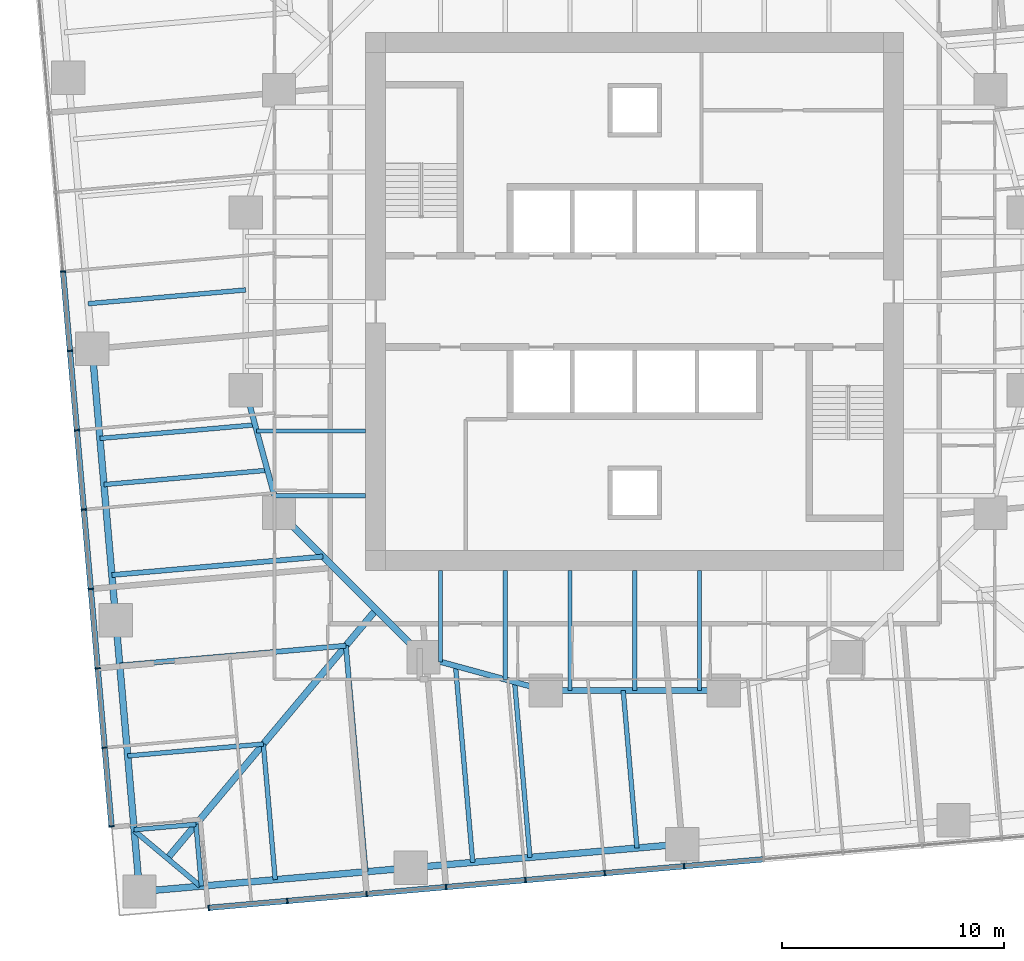
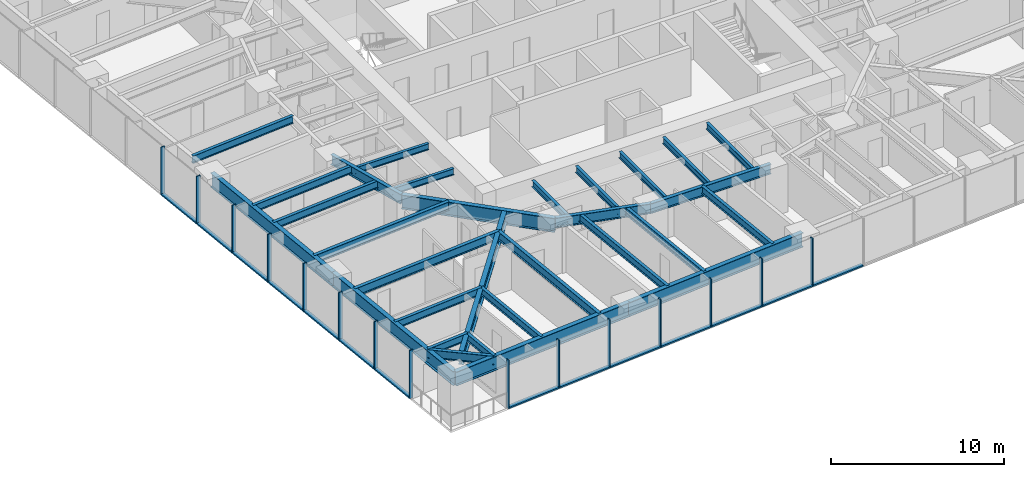
# One storey, part 2 of 14: 30 beams, 29 members, 2 elements without a shape of their own.
"""IFC4 building model written with IfcOpenShell, lengths in metres."""

from ifc_helpers import new_model, si_unit, direction, frame, origin, origin_2d, place, context, subcontext, project, spatial, rectangle, i_section, extrude, material, material_profile, profile_set, type_object, element, aggregate, save


model = new_model("IFC4")

# Units and contexts
model_context = context("Model", 3, precision=1e-05, world=origin(), true_north=direction((0.0, 1.0)))
body_context = subcontext(model_context, "Body", "Model", "MODEL_VIEW")
ifc_project = project(units=[si_unit("LENGTHUNIT", "METRE"), si_unit("AREAUNIT", "SQUARE_METRE"), si_unit("VOLUMEUNIT", "CUBIC_METRE"), si_unit("PLANEANGLEUNIT", "RADIAN"), si_unit("MASSUNIT", "GRAM", prefix="KILO")], contexts=[model_context])

# Site, building, storey
site_placement = place(None, origin())
site = spatial("IfcSite", under=ifc_project, at=site_placement, CompositionType="ELEMENT")
building_placement = place(site_placement, origin())
building = spatial("IfcBuilding", under=site, at=building_placement, Name="Torsade Residences", CompositionType="ELEMENT")
storey_placement = place(building_placement, frame((0.0, 0.0, 64.199951171875)))
storey = spatial("IfcBuildingStorey", under=building, at=storey_placement, Name="L17", CompositionType="ELEMENT", Elevation=64.199951171875)

# Beams
ifc_material_1 = material(Name="Steel grade 300", Category="steel")
ifc_material_profile_1 = material_profile(ifc_material_1, i_section(OverallWidth=0.300048828125, OverallDepth=0.89990234375, WebThickness=0.011962890625, FlangeThickness=0.02490234375, at=origin_2d()), Name="900WB175")
ifc_profile_set_1 = profile_set([ifc_material_profile_1], Name="Steel grade 300")
beam_type_1 = type_object("IfcBeamType", Name="CORNER GIRDER 900WB175", PredefinedType="BEAM", material=ifc_profile_set_1)
beam_1_placement = place(storey_placement, frame((18.978515625, 4.947509765625, 2.800048828125), z_axis=(0.642785419012, 0.766046281307, 0.0), x_axis=(-0.766046281307, 0.642785419012, 0.0)))
element("IfcBeam", 1, at=beam_1_placement, inside=storey, type_object=beam_type_1, Name="Corner girder 01 L18", PredefinedType="BEAM", context=body_context, shape_type="SweptSolid", body=[
    extrude(i_section(OverallWidth=0.300048828125, OverallDepth=0.89990234375, WebThickness=0.011962890625, FlangeThickness=0.02490234375, at=origin_2d()), origin(), (0.0, 0.0, 1.0), 14.603515625),
])
ifc_material_2 = material(Name="Steel grade 300", Category="steel")
ifc_material_profile_2 = material_profile(ifc_material_2, i_section(OverallWidth=0.22802734375, OverallDepth=0.60205078125, WebThickness=0.010498046875, FlangeThickness=0.014892578125, FilletRadius=0.013916015625, at=origin_2d()), Name="610UB101")
ifc_profile_set_2 = profile_set([ifc_material_profile_2], Name="Steel grade 300")
beam_type_2 = type_object("IfcBeamType", Name="CORNER TRIMMER 610UB101", PredefinedType="BEAM", material=ifc_profile_set_2)
beam_2_placement = place(storey_placement, frame((20.468017578125, 3.697509765625, 2.948974609375), z_axis=(-0.766030001697, 0.642804819911, 0.0), x_axis=(-0.642804819911, -0.766030001697, 0.0)))
element("IfcBeam", 2, at=beam_2_placement, inside=storey, type_object=beam_type_2, Name="Corner trimmer 01 L18", PredefinedType="BEAM", context=body_context, shape_type="SweptSolid", body=[
    extrude(i_section(OverallWidth=0.22802734375, OverallDepth=0.60205078125, WebThickness=0.010498046875, FlangeThickness=0.014892578125, FilletRadius=0.013916015625, at=origin_2d()), origin(), (0.0, 0.0, 1.0), 3.88916015625),
])

# Curtain wall, members
ifc_material_3 = material(Name="Aluminium and glass", Category="aluminium")
curtain_wall_type = type_object("IfcCurtainWallType", Name="FRITTED GLASS CURTAIN WALL LOW ZONE", PredefinedType="NOTDEFINED", material=ifc_material_3)
curtain_wall_1_placement = place(storey_placement, origin())
curtain_wall_1 = element("IfcCurtainWall", 3, at=curtain_wall_1_placement, inside=storey, type_object=curtain_wall_type, Name="Curtain wall L17 face 1", PredefinedType="NOTDEFINED")
ifc_material_4 = material(Name="Aluminium mullion", Category="aluminium")
ifc_material_profile_3 = material_profile(ifc_material_4, rectangle(XDim=0.25, YDim=0.06494140625, at=origin_2d()), Name="CURTAIN WALL MULLION 250x65")
ifc_profile_set_3 = profile_set([ifc_material_profile_3], Name="Aluminium mullion")
member_type_1 = type_object("IfcMemberType", Name="CURTAIN WALL MULLION 250x65", PredefinedType="MULLION", material=ifc_profile_set_3)
member_1_placement = place(storey_placement, frame((20.836669921875, 2.72607421875, 0.0), z_axis=(0.0, 0.0, 1.0), x_axis=(-0.087155744208, 0.996194697964, 0.0)))
member_1 = element("IfcMember", 4, at=member_1_placement, type_object=member_type_1, Name="Mullion 1", PredefinedType="MULLION", context=body_context, shape_type="SweptSolid", body=[
    extrude(rectangle(XDim=0.25, YDim=0.06494140625, at=origin_2d()), origin(), (0.0, 0.0, 1.0), 3.400146484375),
])
member_2_placement = place(storey_placement, frame((24.3740234375, 3.035400390625, 0.0), z_axis=(0.0, 0.0, 1.0), x_axis=(-0.087155744208, 0.996194697964, 0.0)))
member_2 = element("IfcMember", 5, at=member_2_placement, type_object=member_type_1, Name="Mullion 2", PredefinedType="MULLION", context=body_context, shape_type="SweptSolid", body=[
    extrude(rectangle(XDim=0.25, YDim=0.06494140625, at=origin_2d()), origin(), (0.0, 0.0, 1.0), 3.400146484375),
])
member_3_placement = place(storey_placement, frame((27.943603515625, 3.347900390625, 0.0), z_axis=(0.0, 0.0, 1.0), x_axis=(-0.087155744208, 0.996194697964, 0.0)))
member_3 = element("IfcMember", 6, at=member_3_placement, type_object=member_type_1, Name="Mullion 3", PredefinedType="MULLION", context=body_context, shape_type="SweptSolid", body=[
    extrude(rectangle(XDim=0.25, YDim=0.06494140625, at=origin_2d()), origin(), (0.0, 0.0, 1.0), 3.400146484375),
])
member_4_placement = place(storey_placement, frame((31.513427734375, 3.66015625, 0.0), z_axis=(0.0, 0.0, 1.0), x_axis=(-0.087155744208, 0.996194697964, 0.0)))
member_4 = element("IfcMember", 7, at=member_4_placement, type_object=member_type_1, Name="Mullion 4", PredefinedType="MULLION", context=body_context, shape_type="SweptSolid", body=[
    extrude(rectangle(XDim=0.25, YDim=0.06494140625, at=origin_2d()), origin(), (0.0, 0.0, 1.0), 3.400146484375),
])
member_5_placement = place(storey_placement, frame((35.0830078125, 3.972412109375, 0.0), z_axis=(0.0, 0.0, 1.0), x_axis=(-0.087155744208, 0.996194697964, 0.0)))
member_5 = element("IfcMember", 8, at=member_5_placement, type_object=member_type_1, Name="Mullion 5", PredefinedType="MULLION", context=body_context, shape_type="SweptSolid", body=[
    extrude(rectangle(XDim=0.25, YDim=0.06494140625, at=origin_2d()), origin(), (0.0, 0.0, 1.0), 3.400146484375),
])
member_6_placement = place(storey_placement, frame((38.65283203125, 4.28466796875, 0.0), z_axis=(0.0, 0.0, 1.0), x_axis=(-0.087155744208, 0.996194697964, 0.0)))
member_6 = element("IfcMember", 9, at=member_6_placement, type_object=member_type_1, Name="Mullion 6", PredefinedType="MULLION", context=body_context, shape_type="SweptSolid", body=[
    extrude(rectangle(XDim=0.25, YDim=0.06494140625, at=origin_2d()), origin(), (0.0, 0.0, 1.0), 3.400146484375),
])
member_7_placement = place(storey_placement, frame((42.222412109375, 4.596923828125, 0.0), z_axis=(0.0, 0.0, 1.0), x_axis=(-0.087155744208, 0.996194697964, 0.0)))
member_7 = element("IfcMember", 10, at=member_7_placement, type_object=member_type_1, Name="Mullion 7", PredefinedType="MULLION", context=body_context, shape_type="SweptSolid", body=[
    extrude(rectangle(XDim=0.25, YDim=0.06494140625, at=origin_2d()), origin(), (0.0, 0.0, 1.0), 3.400146484375),
])

curtain_wall_2_placement = place(storey_placement, origin())
curtain_wall_2 = element("IfcCurtainWall", 11, at=curtain_wall_2_placement, inside=storey, type_object=curtain_wall_type, Name="Curtain wall L17 face 10", PredefinedType="NOTDEFINED")
member_8_placement = place(storey_placement, frame((14.28466796875, 31.34716796875, 0.0), z_axis=(0.0, 0.0, 1.0), x_axis=(0.996194697964, 0.087155744208, 0.0)))
member_8 = element("IfcMember", 12, at=member_8_placement, type_object=member_type_1, Name="Mullion 6", PredefinedType="MULLION", context=body_context, shape_type="SweptSolid", body=[
    extrude(rectangle(XDim=0.25, YDim=0.06494140625, at=origin_2d()), origin(), (0.0, 0.0, 1.0), 3.400146484375),
])
member_9_placement = place(storey_placement, frame((14.596923828125, 27.777587890625, 0.0), z_axis=(0.0, 0.0, 1.0), x_axis=(0.996194697964, 0.087155744208, 0.0)))
member_9 = element("IfcMember", 13, at=member_9_placement, type_object=member_type_1, Name="Mullion 7", PredefinedType="MULLION", context=body_context, shape_type="SweptSolid", body=[
    extrude(rectangle(XDim=0.25, YDim=0.06494140625, at=origin_2d()), origin(), (0.0, 0.0, 1.0), 3.400146484375),
])
member_10_placement = place(storey_placement, frame((14.909423828125, 24.207763671875, 0.0), z_axis=(0.0, 0.0, 1.0), x_axis=(0.996194697964, 0.087155744208, 0.0)))
member_10 = element("IfcMember", 14, at=member_10_placement, type_object=member_type_1, Name="Mullion 8", PredefinedType="MULLION", context=body_context, shape_type="SweptSolid", body=[
    extrude(rectangle(XDim=0.25, YDim=0.06494140625, at=origin_2d()), origin(), (0.0, 0.0, 1.0), 3.400146484375),
])
member_11_placement = place(storey_placement, frame((15.2216796875, 20.63818359375, 0.0), z_axis=(0.0, 0.0, 1.0), x_axis=(0.996194697964, 0.087155744208, 0.0)))
member_11 = element("IfcMember", 15, at=member_11_placement, type_object=member_type_1, Name="Mullion 9", PredefinedType="MULLION", context=body_context, shape_type="SweptSolid", body=[
    extrude(rectangle(XDim=0.25, YDim=0.06494140625, at=origin_2d()), origin(), (0.0, 0.0, 1.0), 3.400146484375),
])
member_12_placement = place(storey_placement, frame((15.533935546875, 17.068359375, 0.0), z_axis=(0.0, 0.0, 1.0), x_axis=(0.996194697964, 0.087155744208, 0.0)))
member_12 = element("IfcMember", 16, at=member_12_placement, type_object=member_type_1, Name="Mullion 10", PredefinedType="MULLION", context=body_context, shape_type="SweptSolid", body=[
    extrude(rectangle(XDim=0.25, YDim=0.06494140625, at=origin_2d()), origin(), (0.0, 0.0, 1.0), 3.400146484375),
])
member_13_placement = place(storey_placement, frame((15.84619140625, 13.498779296875, 0.0), z_axis=(0.0, 0.0, 1.0), x_axis=(0.996194697964, 0.087155744208, 0.0)))
member_13 = element("IfcMember", 17, at=member_13_placement, type_object=member_type_1, Name="Mullion 11", PredefinedType="MULLION", context=body_context, shape_type="SweptSolid", body=[
    extrude(rectangle(XDim=0.25, YDim=0.06494140625, at=origin_2d()), origin(), (0.0, 0.0, 1.0), 3.400146484375),
])
member_14_placement = place(storey_placement, frame((16.15869140625, 9.928955078125, 0.0), z_axis=(0.0, 0.0, 1.0), x_axis=(0.996194697964, 0.087155744208, 0.0)))
member_14 = element("IfcMember", 18, at=member_14_placement, type_object=member_type_1, Name="Mullion 12", PredefinedType="MULLION", context=body_context, shape_type="SweptSolid", body=[
    extrude(rectangle(XDim=0.25, YDim=0.06494140625, at=origin_2d()), origin(), (0.0, 0.0, 1.0), 3.400146484375),
])
member_15_placement = place(storey_placement, frame((16.468017578125, 6.3916015625, 0.0), z_axis=(0.0, 0.0, 1.0), x_axis=(0.996194697964, 0.087155744208, 0.0)))
member_15 = element("IfcMember", 19, at=member_15_placement, type_object=member_type_1, Name="Mullion 13", PredefinedType="MULLION", context=body_context, shape_type="SweptSolid", body=[
    extrude(rectangle(XDim=0.25, YDim=0.06494140625, at=origin_2d()), origin(), (0.0, 0.0, 1.0), 3.400146484375),
])

# Member
ifc_material_5 = material(Name="Aluminium transom", Category="aluminium")
ifc_material_profile_4 = material_profile(ifc_material_5, rectangle(XDim=0.25, YDim=0.10009765625, at=origin_2d()), Name="CURTAIN WALL TRANSOM 250x100")
ifc_profile_set_4 = profile_set([ifc_material_profile_4], Name="Aluminium transom")
member_type_2 = type_object("IfcMemberType", Name="CURTAIN WALL TRANSOM 250x100", PredefinedType="USERDEFINED", material=ifc_profile_set_4)
member_16_placement = place(storey_placement, frame((20.869140625, 2.728759765625, 0.050048828125), z_axis=(0.996190751941, 0.0872008357, 0.0), x_axis=(-0.0872008357, 0.996190751941, 0.0)))
member_16 = element("IfcMember", 20, at=member_16_placement, type_object=member_type_2, Name="Transom 1.1", ObjectType="TRANSOM", PredefinedType="USERDEFINED", context=body_context, shape_type="SweptSolid", body=[
    extrude(rectangle(XDim=0.25, YDim=0.10009765625, at=origin_2d()), origin(), (0.0, 0.0, 1.0), 3.485595703125),
])

member_17_placement = place(storey_placement, frame((24.40625, 3.038330078125, 0.050048828125), z_axis=(0.996195148363, 0.08715059597, 0.0), x_axis=(-0.08715059597, 0.996195148363, 0.0)))
member_17 = element("IfcMember", 21, at=member_17_placement, type_object=member_type_2, Name="Transom 2.1", ObjectType="TRANSOM", PredefinedType="USERDEFINED", context=body_context, shape_type="SweptSolid", body=[
    extrude(rectangle(XDim=0.25, YDim=0.10009765625, at=origin_2d()), origin(), (0.0, 0.0, 1.0), 3.5185546875),
])

member_18_placement = place(storey_placement, frame((27.97607421875, 3.3505859375, 0.050048828125), z_axis=(0.996194621295, 0.087156620531, 0.0), x_axis=(-0.087156620531, 0.996194621295, 0.0)))
member_18 = element("IfcMember", 22, at=member_18_placement, type_object=member_type_2, Name="Transom 3.1", ObjectType="TRANSOM", PredefinedType="USERDEFINED", context=body_context, shape_type="SweptSolid", body=[
    extrude(rectangle(XDim=0.25, YDim=0.10009765625, at=origin_2d()), origin(), (0.0, 0.0, 1.0), 3.518310546875),
])

member_19_placement = place(storey_placement, frame((31.545654296875, 3.662841796875, 0.050048828125), z_axis=(0.996195148363, 0.08715059597, 0.0), x_axis=(-0.08715059597, 0.996195148363, 0.0)))
member_19 = element("IfcMember", 23, at=member_19_placement, type_object=member_type_2, Name="Transom 4.1", ObjectType="TRANSOM", PredefinedType="USERDEFINED", context=body_context, shape_type="SweptSolid", body=[
    extrude(rectangle(XDim=0.25, YDim=0.10009765625, at=origin_2d()), origin(), (0.0, 0.0, 1.0), 3.5185546875),
])

member_20_placement = place(storey_placement, frame((35.115478515625, 3.975341796875, 0.050048828125), z_axis=(0.996194621295, 0.087156620531, 0.0), x_axis=(-0.087156620531, 0.996194621295, 0.0)))
member_20 = element("IfcMember", 24, at=member_20_placement, type_object=member_type_2, Name="Transom 5.1", ObjectType="TRANSOM", PredefinedType="USERDEFINED", context=body_context, shape_type="SweptSolid", body=[
    extrude(rectangle(XDim=0.25, YDim=0.10009765625, at=origin_2d()), origin(), (0.0, 0.0, 1.0), 3.518310546875),
])

member_21_placement = place(storey_placement, frame((38.68505859375, 4.28759765625, 0.050048828125), z_axis=(0.996195148363, 0.08715059597, 0.0), x_axis=(-0.08715059597, 0.996195148363, 0.0)))
member_21 = element("IfcMember", 25, at=member_21_placement, type_object=member_type_2, Name="Transom 6.1", ObjectType="TRANSOM", PredefinedType="USERDEFINED", context=body_context, shape_type="SweptSolid", body=[
    extrude(rectangle(XDim=0.25, YDim=0.10009765625, at=origin_2d()), origin(), (0.0, 0.0, 1.0), 3.5185546875),
])

member_22_placement = place(storey_placement, frame((42.2548828125, 4.599853515625, 0.050048828125), z_axis=(0.996194621295, 0.087156620531, 0.0), x_axis=(-0.087156620531, 0.996194621295, 0.0)))
member_22 = element("IfcMember", 26, at=member_22_placement, type_object=member_type_2, Name="Transom 7.1", ObjectType="TRANSOM", PredefinedType="USERDEFINED", context=body_context, shape_type="SweptSolid", body=[
    extrude(rectangle(XDim=0.25, YDim=0.10009765625, at=origin_2d()), origin(), (0.0, 0.0, 1.0), 3.518310546875),
])

aggregate(curtain_wall_1, [member_1, member_2, member_3, member_4, member_5, member_6, member_7, member_16, member_17, member_18, member_19, member_20, member_21, member_22])

member_23_placement = place(storey_placement, frame((14.28759765625, 31.31494140625, 0.050048828125), z_axis=(0.08715059597, -0.996195148363, 0.0), x_axis=(0.996195148363, 0.08715059597, 0.0)))
member_23 = element("IfcMember", 27, at=member_23_placement, type_object=member_type_2, Name="Transom 6.1", ObjectType="TRANSOM", PredefinedType="USERDEFINED", context=body_context, shape_type="SweptSolid", body=[
    extrude(rectangle(XDim=0.25, YDim=0.10009765625, at=origin_2d()), origin(), (0.0, 0.0, 1.0), 3.5185546875),
])

member_24_placement = place(storey_placement, frame((14.599853515625, 27.7451171875, 0.050048828125), z_axis=(0.087156620531, -0.996194621295, 0.0), x_axis=(0.996194621295, 0.087156620531, 0.0)))
member_24 = element("IfcMember", 28, at=member_24_placement, type_object=member_type_2, Name="Transom 7.1", ObjectType="TRANSOM", PredefinedType="USERDEFINED", context=body_context, shape_type="SweptSolid", body=[
    extrude(rectangle(XDim=0.25, YDim=0.10009765625, at=origin_2d()), origin(), (0.0, 0.0, 1.0), 3.518310546875),
])

member_25_placement = place(storey_placement, frame((14.912109375, 24.175537109375, 0.050048828125), z_axis=(0.08715059597, -0.996195148363, 0.0), x_axis=(0.996195148363, 0.08715059597, 0.0)))
member_25 = element("IfcMember", 29, at=member_25_placement, type_object=member_type_2, Name="Transom 8.1", ObjectType="TRANSOM", PredefinedType="USERDEFINED", context=body_context, shape_type="SweptSolid", body=[
    extrude(rectangle(XDim=0.25, YDim=0.10009765625, at=origin_2d()), origin(), (0.0, 0.0, 1.0), 3.5185546875),
])

member_26_placement = place(storey_placement, frame((15.224365234375, 20.605712890625, 0.050048828125), z_axis=(0.087156620531, -0.996194621295, 0.0), x_axis=(0.996194621295, 0.087156620531, 0.0)))
member_26 = element("IfcMember", 30, at=member_26_placement, type_object=member_type_2, Name="Transom 9.1", ObjectType="TRANSOM", PredefinedType="USERDEFINED", context=body_context, shape_type="SweptSolid", body=[
    extrude(rectangle(XDim=0.25, YDim=0.10009765625, at=origin_2d()), origin(), (0.0, 0.0, 1.0), 3.518310546875),
])

member_27_placement = place(storey_placement, frame((15.536865234375, 17.0361328125, 0.050048828125), z_axis=(0.08715059597, -0.996195148363, 0.0), x_axis=(0.996195148363, 0.08715059597, 0.0)))
member_27 = element("IfcMember", 31, at=member_27_placement, type_object=member_type_2, Name="Transom 10.1", ObjectType="TRANSOM", PredefinedType="USERDEFINED", context=body_context, shape_type="SweptSolid", body=[
    extrude(rectangle(XDim=0.25, YDim=0.10009765625, at=origin_2d()), origin(), (0.0, 0.0, 1.0), 3.5185546875),
])

member_28_placement = place(storey_placement, frame((15.84912109375, 13.46630859375, 0.050048828125), z_axis=(0.087156620531, -0.996194621295, 0.0), x_axis=(0.996194621295, 0.087156620531, 0.0)))
member_28 = element("IfcMember", 32, at=member_28_placement, type_object=member_type_2, Name="Transom 11.1", ObjectType="TRANSOM", PredefinedType="USERDEFINED", context=body_context, shape_type="SweptSolid", body=[
    extrude(rectangle(XDim=0.25, YDim=0.10009765625, at=origin_2d()), origin(), (0.0, 0.0, 1.0), 3.518310546875),
])

member_29_placement = place(storey_placement, frame((16.161376953125, 9.896728515625, 0.050048828125), z_axis=(0.08719475177, -0.996191284475, 0.0), x_axis=(0.996191284475, 0.08719475177, 0.0)))
member_29 = element("IfcMember", 33, at=member_29_placement, type_object=member_type_2, Name="Transom 12.1", ObjectType="TRANSOM", PredefinedType="USERDEFINED", context=body_context, shape_type="SweptSolid", body=[
    extrude(rectangle(XDim=0.25, YDim=0.10009765625, at=origin_2d()), origin(), (0.0, 0.0, 1.0), 3.48583984375),
])

aggregate(curtain_wall_2, [member_8, member_9, member_10, member_11, member_12, member_13, member_14, member_15, member_23, member_24, member_25, member_26, member_27, member_28, member_29])

# Beams
ifc_material_6 = material(Name="Steel grade 300", Category="steel")
ifc_material_profile_5 = material_profile(ifc_material_6, i_section(OverallWidth=0.300048828125, OverallDepth=1.0, WebThickness=0.01611328125, FlangeThickness=0.028076171875, at=origin_2d()), Name="1000WB215")
ifc_profile_set_5 = profile_set([ifc_material_profile_5], Name="Steel grade 300")
beam_type_3 = type_object("IfcBeamType", Name="EDGE BEAM 1000WB215", PredefinedType="SPANDREL", material=ifc_profile_set_5)
for number, where, z_axis, x_axis, name in (
    (34, (17.728515625, 3.4580078125, 2.75), (0.996194907201, 0.08715335259, 0.0), (-0.08715335259, 0.996194907201, 0.0), "Edge beam 01 L18"),
    (35, (29.931884765625, 4.525634765625, 2.75), (0.996194907201, 0.08715335259, 0.0), (-0.08715335259, 0.996194907201, 0.0), "Edge beam 02 L18"),
    (36, (15.59326171875, 27.86474609375, 2.75), (0.08715335259, -0.996194907201, 0.0), (0.996194907201, 0.08715335259, 0.0), "Edge beam 15 L18"),
    (37, (16.660888671875, 15.661376953125, 2.75), (0.08715335259, -0.996194907201, 0.0), (0.996194907201, 0.08715335259, 0.0), "Edge beam 16 L18"),
):
    element("IfcBeam", number, at=place(storey_placement, frame(where, z_axis=z_axis, x_axis=x_axis)), inside=storey, type_object=beam_type_3, Name=name, PredefinedType="SPANDREL", context=body_context, shape_type="SweptSolid", body=[
        extrude(i_section(OverallWidth=0.300048828125, OverallDepth=1.0, WebThickness=0.01611328125, FlangeThickness=0.028076171875, at=origin_2d()), origin(), (0.0, 0.0, 1.0), 12.25),
    ])
ifc_material_7 = material(Name="Steel grade 300", Category="steel")
ifc_material_profile_6 = material_profile(ifc_material_7, i_section(OverallWidth=0.18994140625, OverallDepth=0.4541015625, WebThickness=0.008544921875, FlangeThickness=0.0126953125, FilletRadius=0.011474609375, at=origin_2d()), Name="460UB67.1")
ifc_profile_set_6 = profile_set([ifc_material_profile_6], Name="Steel grade 300")
beam_type_4 = type_object("IfcBeamType", Name="INNER FLOOR BEAM 460UB67.1", PredefinedType="JOIST", material=ifc_profile_set_6)
for number, where, z_axis, x_axis, name in (
    (38, (42.91259765625, 17.89990234375, 3.02294921875), (0.0, -1.0, 0.0), (1.0, 0.0, 0.0), "Inner floor beam IS03 L18"),
    (39, (40.0, 17.89990234375, 3.02294921875), (0.0, -1.0, 0.0), (1.0, 0.0, 0.0), "Inner floor beam IS04 L18"),
    (40, (37.08740234375, 17.89990234375, 3.02294921875), (0.0, -1.0, 0.0), (1.0, 0.0, 0.0), "Inner floor beam IS05 L18"),
):
    element("IfcBeam", number, at=place(storey_placement, frame(where, z_axis=z_axis, x_axis=x_axis)), inside=storey, type_object=beam_type_4, Name=name, PredefinedType="JOIST", context=body_context, shape_type="SweptSolid", body=[
        extrude(i_section(OverallWidth=0.18994140625, OverallDepth=0.4541015625, WebThickness=0.008544921875, FlangeThickness=0.0126953125, FilletRadius=0.011474609375, at=origin_2d()), origin(), (0.0, 0.0, 1.0), 5.39990234375),
    ])
beam_3_placement = place(storey_placement, frame((34.175048828125, 17.89990234375, 3.02294921875), z_axis=(0.0, -1.0, 0.0), x_axis=(1.0, 0.0, 0.0)))
element("IfcBeam", 41, at=beam_3_placement, inside=storey, type_object=beam_type_4, Name="Inner floor beam IS06 L18", PredefinedType="JOIST", context=body_context, shape_type="SweptSolid", body=[
    extrude(i_section(OverallWidth=0.18994140625, OverallDepth=0.4541015625, WebThickness=0.008544921875, FlangeThickness=0.0126953125, FilletRadius=0.011474609375, at=origin_2d()), origin(), (0.0, 0.0, 1.0), 4.902099609375),
])
beam_4_placement = place(storey_placement, frame((31.262451171875, 17.89990234375, 3.02294921875), z_axis=(0.0, -1.0, 0.0), x_axis=(1.0, 0.0, 0.0)))
element("IfcBeam", 42, at=beam_4_placement, inside=storey, type_object=beam_type_4, Name="Inner floor beam IS07 L18", PredefinedType="JOIST", context=body_context, shape_type="SweptSolid", body=[
    extrude(i_section(OverallWidth=0.18994140625, OverallDepth=0.4541015625, WebThickness=0.008544921875, FlangeThickness=0.0126953125, FilletRadius=0.011474609375, at=origin_2d()), origin(), (0.0, 0.0, 1.0), 4.10791015625),
])
beam_5_placement = place(storey_placement, frame((27.89990234375, 24.175048828125, 3.02294921875), z_axis=(-1.0, 0.0, 0.0), x_axis=(0.0, -1.0, 0.0)))
element("IfcBeam", 43, at=beam_5_placement, inside=storey, type_object=beam_type_4, Name="Inner floor beam IW06 L18", PredefinedType="JOIST", context=body_context, shape_type="SweptSolid", body=[
    extrude(i_section(OverallWidth=0.18994140625, OverallDepth=0.4541015625, WebThickness=0.008544921875, FlangeThickness=0.0126953125, FilletRadius=0.011474609375, at=origin_2d()), origin(), (0.0, 0.0, 1.0), 4.902099609375),
])
beam_6_placement = place(storey_placement, frame((27.89990234375, 21.262451171875, 3.02294921875), z_axis=(-1.0, 0.0, 0.0), x_axis=(0.0, -1.0, 0.0)))
element("IfcBeam", 44, at=beam_6_placement, inside=storey, type_object=beam_type_4, Name="Inner floor beam IW07 L18", PredefinedType="JOIST", context=body_context, shape_type="SweptSolid", body=[
    extrude(i_section(OverallWidth=0.18994140625, OverallDepth=0.4541015625, WebThickness=0.008544921875, FlangeThickness=0.0126953125, FilletRadius=0.011474609375, at=origin_2d()), origin(), (0.0, 0.0, 1.0), 4.10791015625),
])
ifc_material_8 = material(Name="Steel grade 300", Category="steel")
ifc_material_profile_7 = material_profile(ifc_material_8, i_section(OverallWidth=0.300048828125, OverallDepth=1.0, WebThickness=0.01611328125, FlangeThickness=0.028076171875, at=origin_2d()), Name="1000WB215")
ifc_profile_set_7 = profile_set([ifc_material_profile_7], Name="Steel grade 300")
beam_type_5 = type_object("IfcBeamType", Name="RING CORNER GIRDER 1000WB215", PredefinedType="BEAM", material=ifc_profile_set_7)
beam_7_placement = place(storey_placement, frame((24.0, 20.5, 2.75), z_axis=(0.707106781187, -0.707106781187, 0.0), x_axis=(0.707106781187, 0.707106781187, 0.0)))
element("IfcBeam", 45, at=beam_7_placement, inside=storey, type_object=beam_type_5, Name="Ring girder IR11 L18", PredefinedType="BEAM", context=body_context, shape_type="SweptSolid", body=[
    extrude(i_section(OverallWidth=0.300048828125, OverallDepth=1.0, WebThickness=0.01611328125, FlangeThickness=0.028076171875, at=origin_2d()), origin(), (0.0, 0.0, 1.0), 9.1923828125),
])
ifc_material_9 = material(Name="Steel grade 300", Category="steel")
ifc_material_profile_8 = material_profile(ifc_material_9, i_section(OverallWidth=0.25, OverallDepth=0.699951171875, WebThickness=0.010009765625, FlangeThickness=0.02001953125, at=origin_2d()), Name="700WB130")
ifc_profile_set_8 = profile_set([ifc_material_profile_8], Name="Steel grade 300")
beam_type_6 = type_object("IfcBeamType", Name="RING GIRDER 700WB130", PredefinedType="BEAM", material=ifc_profile_set_8)
for number, where, z_axis, x_axis, name in (
    (46, (22.5, 26.0, 2.900146484375), (0.263117405792, -0.964763821238, 0.0), (0.964763821238, 0.263117405792, 0.0), "Ring girder IR10 L18"),
    (47, (30.5, 14.0, 2.900146484375), (0.964763821238, -0.263117405792, 0.0), (0.263117405792, 0.964763821238, 0.0), "Ring girder IR12 L18"),
):
    element("IfcBeam", number, at=place(storey_placement, frame(where, z_axis=z_axis, x_axis=x_axis)), inside=storey, type_object=beam_type_6, Name=name, PredefinedType="BEAM", context=body_context, shape_type="SweptSolid", body=[
        extrude(i_section(OverallWidth=0.25, OverallDepth=0.699951171875, WebThickness=0.010009765625, FlangeThickness=0.02001953125, at=origin_2d()), origin(), (0.0, 0.0, 1.0), 5.700927734375),
    ])
beam_8_placement = place(storey_placement, frame((36.0, 12.5, 2.900146484375), z_axis=(1.0, 0.0, 0.0), x_axis=(0.0, 1.0, 0.0)))
element("IfcBeam", 48, at=beam_8_placement, inside=storey, type_object=beam_type_6, Name="Ring girder IR13 L18", PredefinedType="BEAM", context=body_context, shape_type="SweptSolid", body=[
    extrude(i_section(OverallWidth=0.25, OverallDepth=0.699951171875, WebThickness=0.010009765625, FlangeThickness=0.02001953125, at=origin_2d()), origin(), (0.0, 0.0, 1.0), 8.0),
])
ifc_material_10 = material(Name="Steel grade 300", Category="steel")
ifc_material_profile_9 = material_profile(ifc_material_10, i_section(OverallWidth=0.208984375, OverallDepth=0.528076171875, WebThickness=0.009521484375, FlangeThickness=0.01318359375, FilletRadius=0.013916015625, at=origin_2d()), Name="530UB82.0")
ifc_profile_set_9 = profile_set([ifc_material_profile_9], Name="Steel grade 300")
beam_type_7 = type_object("IfcBeamType", Name="SECONDARY BEAM 530UB82.0", PredefinedType="JOIST", material=ifc_profile_set_9)
beam_9_placement = place(storey_placement, frame((20.509521484375, 3.701171875, 2.986083984375), z_axis=(-0.087105111923, 0.996199126418, 0.0), x_axis=(-0.996199126418, -0.087105111923, 0.0)))
element("IfcBeam", 49, at=beam_9_placement, inside=storey, type_object=beam_type_7, Name="Floor beam FS01 L18", PredefinedType="JOIST", context=body_context, shape_type="SweptSolid", body=[
    extrude(i_section(OverallWidth=0.208984375, OverallDepth=0.528076171875, WebThickness=0.009521484375, FlangeThickness=0.01318359375, FilletRadius=0.013916015625, at=origin_2d()), origin(), (0.0, 0.0, 1.0), 2.79150390625),
])
beam_10_placement = place(storey_placement, frame((23.830322265625, 3.99169921875, 2.986083984375), z_axis=(-0.087171400335, 0.996193328106, 0.0), x_axis=(-0.996193328106, -0.087171400335, 0.0)))
element("IfcBeam", 50, at=beam_10_placement, inside=storey, type_object=beam_type_7, Name="Floor beam FS02 L18", PredefinedType="JOIST", context=body_context, shape_type="SweptSolid", body=[
    extrude(i_section(OverallWidth=0.208984375, OverallDepth=0.528076171875, WebThickness=0.009521484375, FlangeThickness=0.01318359375, FilletRadius=0.013916015625, at=origin_2d()), origin(), (0.0, 0.0, 1.0), 6.125244140625),
])
beam_11_placement = place(storey_placement, frame((32.712890625, 4.768798828125, 2.986083984375), z_axis=(-0.08714612802, 0.996195539225, 0.0), x_axis=(-0.996195539225, -0.08714612802, 0.0)))
element("IfcBeam", 51, at=beam_11_placement, inside=storey, type_object=beam_type_7, Name="Floor beam FS04 L18", PredefinedType="JOIST", context=body_context, shape_type="SweptSolid", body=[
    extrude(i_section(OverallWidth=0.208984375, OverallDepth=0.528076171875, WebThickness=0.009521484375, FlangeThickness=0.01318359375, FilletRadius=0.013916015625, at=origin_2d()), origin(), (0.0, 0.0, 1.0), 8.872314453125),
])
beam_12_placement = place(storey_placement, frame((35.286376953125, 4.994140625, 2.986083984375), z_axis=(-0.087157771408, 0.996194520605, 0.0), x_axis=(-0.996194520605, -0.087157771408, 0.0)))
element("IfcBeam", 52, at=beam_12_placement, inside=storey, type_object=beam_type_7, Name="Floor beam FS05 L18", PredefinedType="JOIST", context=body_context, shape_type="SweptSolid", body=[
    extrude(i_section(OverallWidth=0.208984375, OverallDepth=0.528076171875, WebThickness=0.009521484375, FlangeThickness=0.01318359375, FilletRadius=0.013916015625, at=origin_2d()), origin(), (0.0, 0.0, 1.0), 7.918701171875),
])
for number, where, z_axis, x_axis, name in (
    (53, (40.101318359375, 5.415283203125, 2.986083984375), (-0.087127345813, 0.996197182094, 0.0), (-0.996197182094, -0.087127345813, 0.0), "Floor beam FS06 L18"),
    (54, (15.415283203125, 29.898681640625, 2.986083984375), (0.996197182094, 0.087127345813, 0.0), (-0.087127345813, 0.996197182094, 0.0), "Floor beam FW06 L18"),
):
    element("IfcBeam", number, at=place(storey_placement, frame(where, z_axis=z_axis, x_axis=x_axis)), inside=storey, type_object=beam_type_7, Name=name, PredefinedType="JOIST", context=body_context, shape_type="SweptSolid", body=[
        extrude(i_section(OverallWidth=0.208984375, OverallDepth=0.528076171875, WebThickness=0.009521484375, FlangeThickness=0.01318359375, FilletRadius=0.013916015625, at=origin_2d()), origin(), (0.0, 0.0, 1.0), 7.11181640625),
    ])
beam_13_placement = place(storey_placement, frame((15.945556640625, 23.83837890625, 2.986083984375), z_axis=(0.99619296077, 0.087175598142, 0.0), x_axis=(-0.087175598142, 0.99619296077, 0.0)))
element("IfcBeam", 55, at=beam_13_placement, inside=storey, type_object=beam_type_7, Name="Floor beam FW07 L18", PredefinedType="JOIST", context=body_context, shape_type="SweptSolid", body=[
    extrude(i_section(OverallWidth=0.208984375, OverallDepth=0.528076171875, WebThickness=0.009521484375, FlangeThickness=0.01318359375, FilletRadius=0.013916015625, at=origin_2d()), origin(), (0.0, 0.0, 1.0), 7.004150390625),
])
beam_14_placement = place(storey_placement, frame((16.126953125, 21.762939453125, 2.986083984375), z_axis=(0.996194650902, 0.087156282128, 0.0), x_axis=(-0.087156282128, 0.996194650902, 0.0)))
element("IfcBeam", 56, at=beam_14_placement, inside=storey, type_object=beam_type_7, Name="Floor beam FW08 L18", PredefinedType="JOIST", context=body_context, shape_type="SweptSolid", body=[
    extrude(i_section(OverallWidth=0.208984375, OverallDepth=0.528076171875, WebThickness=0.009521484375, FlangeThickness=0.01318359375, FilletRadius=0.013916015625, at=origin_2d()), origin(), (0.0, 0.0, 1.0), 7.381103515625),
])
beam_15_placement = place(storey_placement, frame((17.19482421875, 9.5595703125, 2.986083984375), z_axis=(0.996193025206, 0.087174861801, 0.0), x_axis=(-0.087174861801, 0.996193025206, 0.0)))
element("IfcBeam", 57, at=beam_15_placement, inside=storey, type_object=beam_type_7, Name="Floor beam FW11 L18", PredefinedType="JOIST", context=body_context, shape_type="SweptSolid", body=[
    extrude(i_section(OverallWidth=0.208984375, OverallDepth=0.528076171875, WebThickness=0.009521484375, FlangeThickness=0.01318359375, FilletRadius=0.013916015625, at=origin_2d()), origin(), (0.0, 0.0, 1.0), 6.125),
])
beam_16_placement = place(storey_placement, frame((17.4853515625, 6.239013671875, 2.986083984375), z_axis=(0.996199126418, 0.087105111923, 0.0), x_axis=(-0.087105111923, 0.996199126418, 0.0)))
element("IfcBeam", 58, at=beam_16_placement, inside=storey, type_object=beam_type_7, Name="Floor beam FW12 L18", PredefinedType="JOIST", context=body_context, shape_type="SweptSolid", body=[
    extrude(i_section(OverallWidth=0.208984375, OverallDepth=0.528076171875, WebThickness=0.009521484375, FlangeThickness=0.01318359375, FilletRadius=0.013916015625, at=origin_2d()), origin(), (0.0, 0.0, 1.0), 2.79150390625),
])
ifc_material_11 = material(Name="Steel grade 300", Category="steel")
ifc_material_profile_10 = material_profile(ifc_material_11, i_section(OverallWidth=0.22900390625, OverallDepth=0.612060546875, WebThickness=0.011962890625, FlangeThickness=0.01953125, FilletRadius=0.013916015625, at=origin_2d()), Name="610UB125")
ifc_profile_set_10 = profile_set([ifc_material_profile_10], Name="Steel grade 300")
beam_type_8 = type_object("IfcBeamType", Name="SECONDARY BEAM 610UB125", PredefinedType="JOIST", material=ifc_profile_set_10)
beam_17_placement = place(storey_placement, frame((27.89794921875, 4.34765625, 2.944091796875), z_axis=(-0.087149742944, 0.996195222988, 0.0), x_axis=(-0.996195222988, -0.087149742944, 0.0)))
element("IfcBeam", 59, at=beam_17_placement, inside=storey, type_object=beam_type_8, Name="Floor beam FS03 L18", PredefinedType="JOIST", context=body_context, shape_type="SweptSolid", body=[
    extrude(i_section(OverallWidth=0.22900390625, OverallDepth=0.612060546875, WebThickness=0.011962890625, FlangeThickness=0.01953125, FilletRadius=0.013916015625, at=origin_2d()), origin(), (0.0, 0.0, 1.0), 10.208251953125),
])
beam_18_placement = place(storey_placement, frame((16.48291015625, 17.6953125, 2.944091796875), z_axis=(0.996195358323, 0.087148195942, 0.0), x_axis=(-0.087148195942, 0.996195358323, 0.0)))
element("IfcBeam", 60, at=beam_18_placement, inside=storey, type_object=beam_type_8, Name="Floor beam FW09 L18", PredefinedType="JOIST", context=body_context, shape_type="SweptSolid", body=[
    extrude(i_section(OverallWidth=0.22900390625, OverallDepth=0.612060546875, WebThickness=0.011962890625, FlangeThickness=0.01953125, FilletRadius=0.013916015625, at=origin_2d()), origin(), (0.0, 0.0, 1.0), 9.527587890625),
])
beam_19_placement = place(storey_placement, frame((16.8388671875, 13.62744140625, 2.944091796875), z_axis=(0.996195222988, 0.087149742944, 0.0), x_axis=(-0.087149742944, 0.996195222988, 0.0)))
element("IfcBeam", 61, at=beam_19_placement, inside=storey, type_object=beam_type_8, Name="Floor beam FW10 L18", PredefinedType="JOIST", context=body_context, shape_type="SweptSolid", body=[
    extrude(i_section(OverallWidth=0.22900390625, OverallDepth=0.612060546875, WebThickness=0.011962890625, FlangeThickness=0.01953125, FilletRadius=0.013916015625, at=origin_2d()), origin(), (0.0, 0.0, 1.0), 10.208251953125),
])

save(model, "model.ifc")
